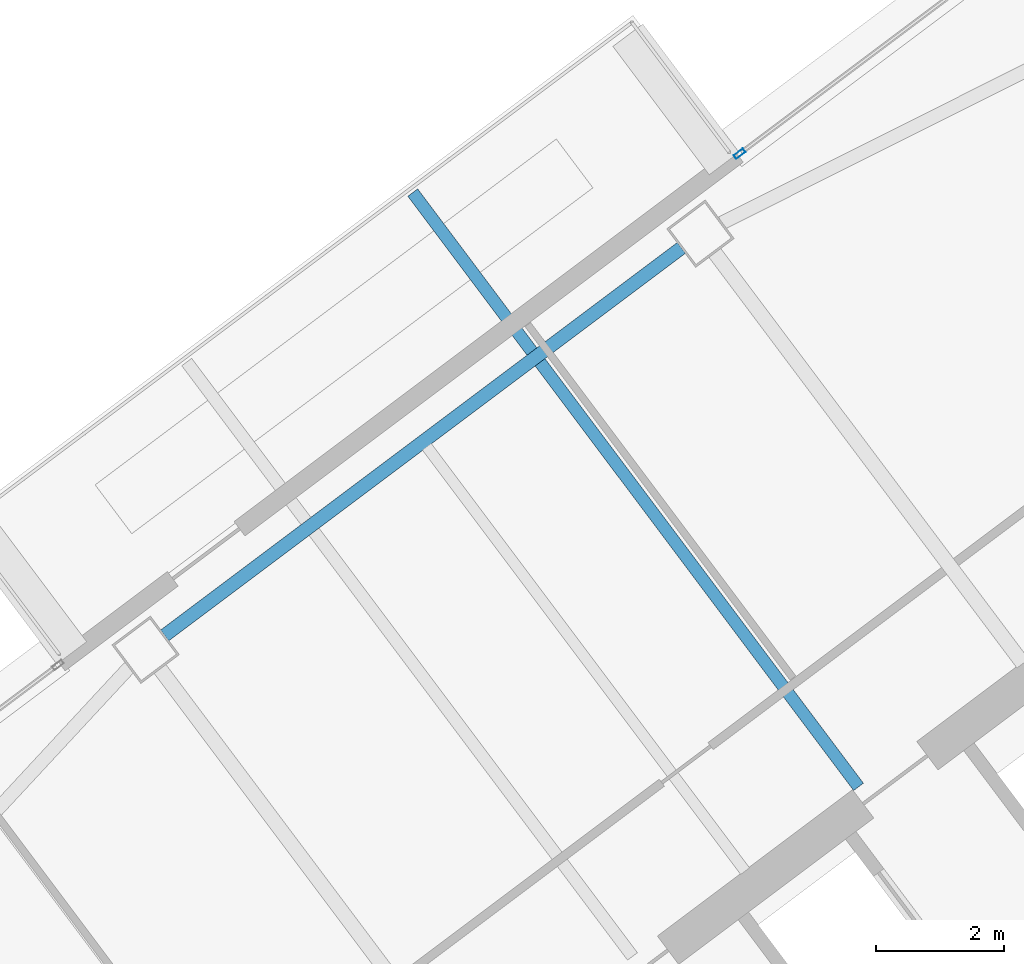
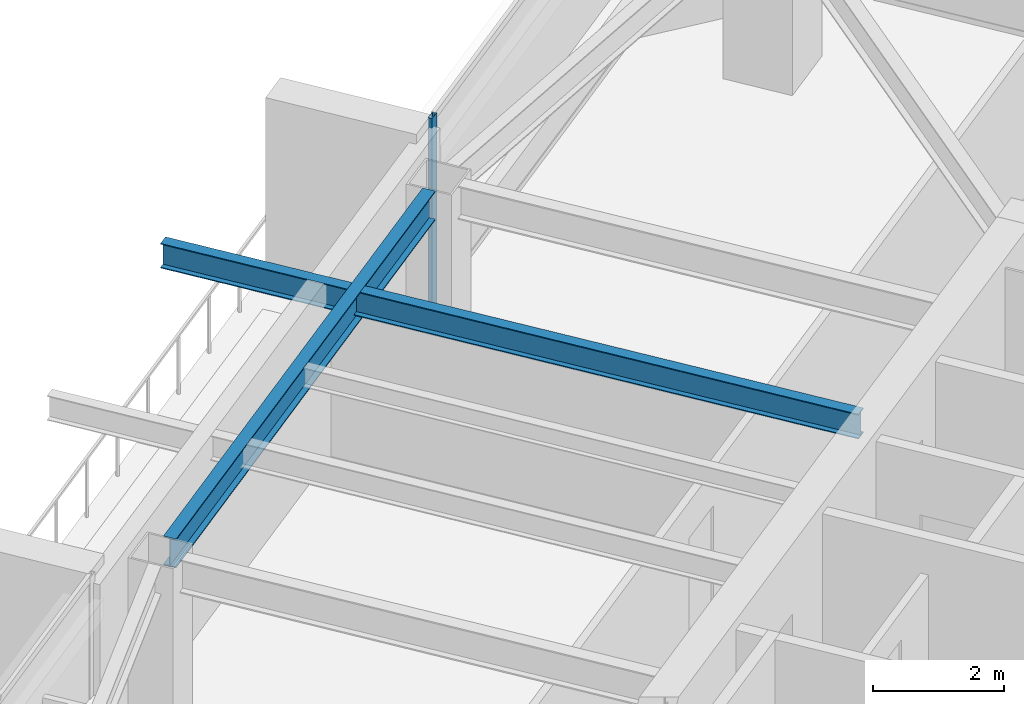
# One storey, part 27 of 41: 2 beams, 1 member, 1 element without a shape of its own.
"""IFC4 building model written with IfcOpenShell, lengths in metres."""

from ifc_helpers import new_model, si_unit, direction, frame, origin, origin_2d, place, context, subcontext, project, spatial, hollow_rectangle, i_section, extrude, material, material_profile, profile_set, type_object, element, aggregate, save


model = new_model("IFC4")

# Units and contexts
model_context = context("Model", 3, precision=1e-05, world=origin(), true_north=direction((0.0, 1.0)))
body_context = subcontext(model_context, "Body", "Model", "MODEL_VIEW")
ifc_project = project(units=[si_unit("LENGTHUNIT", "METRE"), si_unit("AREAUNIT", "SQUARE_METRE"), si_unit("VOLUMEUNIT", "CUBIC_METRE"), si_unit("PLANEANGLEUNIT", "RADIAN"), si_unit("MASSUNIT", "GRAM", prefix="KILO")], contexts=[model_context])

# Site, building, storey
site_placement = place(None, origin())
site = spatial("IfcSite", under=ifc_project, at=site_placement, CompositionType="ELEMENT")
building_placement = place(site_placement, origin())
building = spatial("IfcBuilding", under=site, at=building_placement, Name="Tashvorn Skyway Center", CompositionType="ELEMENT")
storey_placement = place(building_placement, frame((0.0, 0.0, 192.5)))
storey = spatial("IfcBuildingStorey", under=building, at=storey_placement, Name="L52", CompositionType="ELEMENT", Elevation=192.5)

# Beams
ifc_material_1 = material(Name="Steel ASTM A992 Grade 50", Category="steel")
ifc_material_profile_1 = material_profile(ifc_material_1, i_section(OverallWidth=0.19091796875, OverallDepth=0.4599609375, WebThickness=0.010009765625, FlangeThickness=0.01611328125, at=origin_2d()), Name="W18X55")
ifc_profile_set_1 = profile_set([ifc_material_profile_1], Name="Steel ASTM A992 Grade 50")
beam_type_1 = type_object("IfcBeamType", Name="BM-JOIST-W18X55", PredefinedType="JOIST", material=ifc_profile_set_1)
beam_1_placement = place(storey_placement, frame((111.092041015625, 39.5439453125, 3.139892578125), z_axis=(-0.600003376135, 0.799997467888, 0.0), x_axis=(-0.799997467888, -0.600003376135, 0.0)))
element("IfcBeam", 1, at=beam_1_placement, inside=storey, type_object=beam_type_1, Name="Tower 2 L53 Terrace Cantilever Outlooker 2", PredefinedType="JOIST", context=body_context, shape_type="SweptSolid", body=[
    extrude(i_section(OverallWidth=0.19091796875, OverallDepth=0.4599609375, WebThickness=0.010009765625, FlangeThickness=0.01611328125, at=origin_2d()), origin(), (0.0, 0.0, 1.0), 11.570068359375),
])
ifc_material_profile_2 = material_profile(ifc_material_1, i_section(OverallWidth=0.2109375, OverallDepth=0.5390625, WebThickness=0.01171875, FlangeThickness=0.018798828125, at=origin_2d()), Name="W21X73")
ifc_profile_set_2 = profile_set([ifc_material_profile_2], Name="Steel ASTM A992 Grade 50")
beam_type_2 = type_object("IfcBeamType", Name="BM-SPANDREL-W21X73", PredefinedType="SPANDREL", material=ifc_profile_set_2)
beam_2_placement = place(storey_placement, frame((108.333984375, 47.93798828125, 3.1005859375), z_axis=(-0.800008736549, -0.599988351091, 0.0), x_axis=(0.599988351091, -0.800008736549, 0.0)))
element("IfcBeam", 2, at=beam_2_placement, inside=storey, type_object=beam_type_2, Name="Tower 2 L52 Spandrel Beam 08", PredefinedType="SPANDREL", context=body_context, shape_type="SweptSolid", body=[
    extrude(i_section(OverallWidth=0.2109375, OverallDepth=0.5390625, WebThickness=0.01171875, FlangeThickness=0.018798828125, at=origin_2d()), origin(), (0.0, 0.0, 1.0), 10.06005859375),
])

# Curtain wall, member
ifc_material_2 = material(Name="Thermally broken bronze-anodized aluminium 6063-T6", Category="aluminium")
curtain_wall_type = type_object("IfcCurtainWallType", Name="CW-CW-Z4", PredefinedType="NOTDEFINED", material=ifc_material_2)
curtain_wall_placement = place(storey_placement, origin())
curtain_wall = element("IfcCurtainWall", 3, at=curtain_wall_placement, inside=storey, type_object=curtain_wall_type, Name="Tower 2 L52 North Curtain Wall R", PredefinedType="NOTDEFINED")
ifc_material_profile_3 = material_profile(ifc_material_2, hollow_rectangle(XDim=0.070068359375, YDim=0.179931640625, WallThickness=0.00390625, at=origin_2d()), Name="ALU-MULL-70x180")
ifc_profile_set_3 = profile_set([ifc_material_profile_3], Name="Thermally broken bronze-anodized aluminium 6063-T6")
member_type = type_object("IfcMemberType", Name="CWM-CW-Z4", PredefinedType="MULLION", material=ifc_profile_set_3)
member_placement = place(storey_placement, frame((109.239990234375, 49.405029296875, 0.0), z_axis=(0.0, 0.0, 1.0), x_axis=(-0.600000000002, 0.799999999998, 0.0)))
member = element("IfcMember", 4, at=member_placement, type_object=member_type, Name="CW-Z4 mullion 1", PredefinedType="MULLION", context=body_context, shape_type="SweptSolid", body=[
    extrude(hollow_rectangle(XDim=0.070068359375, YDim=0.179931640625, WallThickness=0.00390625, at=origin_2d()), origin(), (0.0, 0.0, 1.0), 3.550048828125),
])
aggregate(curtain_wall, [member])

save(model, "model.ifc")
